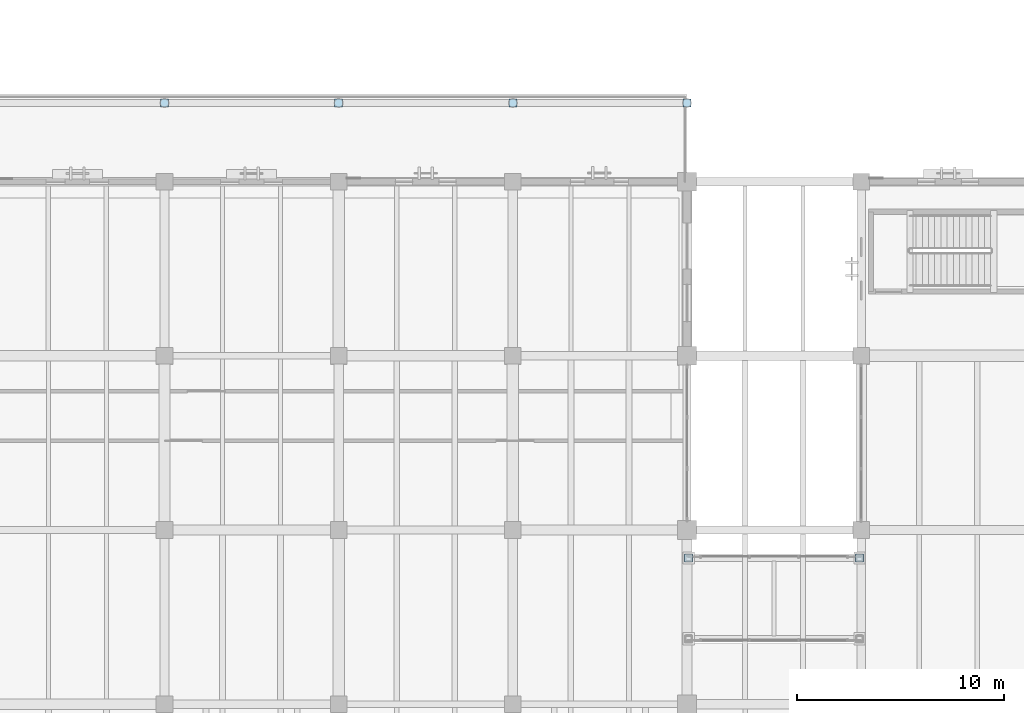
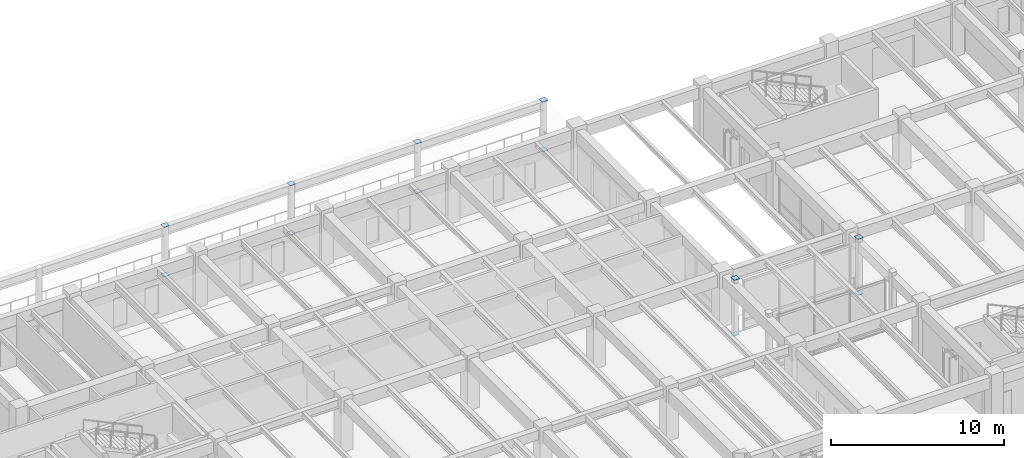
# One storey, part 80 of 135: 12 plates.
"""IFC4 building model written with IfcOpenShell, lengths in metres."""

import ifcopenshell
import ifcopenshell.guid

model = None  # the IFC model being written
_history = None  # IfcOwnerHistory: only IFC2X3 demands one
_inside = {}  # id of a spatial element -> (the spatial element, [elements in it])
_under = {}  # id of a project, library or spatial element -> (it, [spatial elements below it])
_declared = {}  # id of a project -> (the project, [libraries it declares])
_typed = {}  # id of a type object -> (the type object, [elements of that type])
_made_of = {}  # id of a material, layer set ... -> (it, [elements and type objects made of it])


def new_model(schema):
    """Start an empty IFC model of exactly this schema.

    Asked for "IFC4X3", IfcOpenShell would pick the latest addendum, in which some entities
    have other attributes; the version numbers below select the first issue.
    IFC2X3 requires an IfcOwnerHistory on every rooted entity: one is made here for all.
    """
    global model, _history
    if schema == "IFC4X3":
        model = ifcopenshell.file(schema_version=(4, 3, 0, 0))
    else:
        model = ifcopenshell.file(schema=schema)
    _inside.clear()
    _under.clear()
    _declared.clear()
    _typed.clear()
    _made_of.clear()
    _history = None
    if model.schema == "IFC2X3":
        org = make("IfcOrganization", Name="unknown")
        user = make(
            "IfcPersonAndOrganization",
            ThePerson=make("IfcPerson", FamilyName="unknown"),
            TheOrganization=org,
        )
        app = make(
            "IfcApplication",
            ApplicationDeveloper=org,
            Version="unknown",
            ApplicationFullName="unknown",
            ApplicationIdentifier="unknown",
        )
        _history = make(
            "IfcOwnerHistory",
            OwningUser=user,
            OwningApplication=app,
            ChangeAction="ADDED",
            CreationDate=0,
        )
    return model


def make(cls, **values):
    """One entity of the class cls with the attributes given. An attribute that is None is left unset."""
    return model.create_entity(
        cls, **{name: value for name, value in values.items() if value is not None}
    )


def rooted(cls, **values):
    """An entity with a GlobalId (a new one), such as an element, a storey or a relation."""
    return make(cls, GlobalId=ifcopenshell.guid.new(), OwnerHistory=_history, **values)


def si_unit(unit_type, name, prefix=None):
    """IfcSIUnit, for example si_unit("LENGTHUNIT", "METRE", prefix="MILLI")."""
    return make("IfcSIUnit", UnitType=unit_type, Prefix=prefix, Name=name)


def assignment(units):
    """IfcUnitAssignment: the units of a project."""
    return None if units is None else make("IfcUnitAssignment", Units=units)


def point(xyz):
    """IfcCartesianPoint."""
    return None if xyz is None else make("IfcCartesianPoint", Coordinates=xyz)


def direction(xyz):
    """IfcDirection."""
    return None if xyz is None else make("IfcDirection", DirectionRatios=xyz)


def frame(location, z_axis=None, x_axis=None):
    """IfcAxis2Placement3D, a coordinate frame: its origin and axes. An axis left out is left unset."""
    return make(
        "IfcAxis2Placement3D",
        Location=point(location),
        Axis=direction(z_axis),
        RefDirection=direction(x_axis),
    )


def frame_2d(location, x_axis=None):
    """IfcAxis2Placement2D, a coordinate frame in the plane: its origin and x axis."""
    return make(
        "IfcAxis2Placement2D", Location=point(location), RefDirection=direction(x_axis)
    )


def origin():
    """The frame at (0, 0, 0) with its axes left unset."""
    return frame((0.0, 0.0, 0.0))


def origin_2d():
    """The frame at (0, 0) in the plane with its x axis left unset."""
    return frame_2d((0.0, 0.0))


def place(relative_to, where):
    """IfcLocalPlacement: puts the frame where relative to a parent placement (None: the world)."""
    return make(
        "IfcLocalPlacement", PlacementRelTo=relative_to, RelativePlacement=where
    )


def context(
    kind, dimensions, precision=None, world=None, true_north=None, identifier=None
):
    """IfcGeometricRepresentationContext, for example the 3D "Model" context."""
    return make(
        "IfcGeometricRepresentationContext",
        ContextIdentifier=identifier,
        ContextType=kind,
        CoordinateSpaceDimension=dimensions,
        Precision=precision,
        WorldCoordinateSystem=world,
        TrueNorth=true_north,
    )


def subcontext(parent, identifier, kind, view, scale=None):
    """IfcGeometricRepresentationSubContext, for example "Body" below "Model"."""
    return make(
        "IfcGeometricRepresentationSubContext",
        ContextIdentifier=identifier,
        ContextType=kind,
        ParentContext=parent,
        TargetScale=scale,
        TargetView=view,
    )


def project(units=None, contexts=None):
    """IfcProject with its units and contexts."""
    return rooted(
        "IfcProject",
        Name="project",
        RepresentationContexts=contexts,
        UnitsInContext=assignment(units),
    )


def spatial(cls, under=None, at=None, **own):
    """A site, building, storey or space (cls), placed at a placement, below another one or the project."""
    s = rooted(cls, ObjectPlacement=at, **own)
    if under is not None:
        _under.setdefault(under.id(), (under, []))[1].append(s)
    return s


def profile(cls, at=None, kind="AREA", **sizes):
    """A parametric profile (cls). Its sizes go by their IFC names, for example OverallWidth=200.0."""
    return make(cls, ProfileType=kind, Position=at, **sizes)


def rectangle(**sizes):
    """IfcRectangleProfileDef."""
    return profile("IfcRectangleProfileDef", **sizes)


def extrude(swept, where, along, depth):
    """IfcExtrudedAreaSolid: the profile swept, set in the frame where, extruded along a direction by depth."""
    return make(
        "IfcExtrudedAreaSolid",
        SweptArea=swept,
        Position=where,
        ExtrudedDirection=direction(along),
        Depth=depth,
    )


def shape(context_of_items, identifier, shape_type, items):
    """IfcShapeRepresentation: the items that make up one representation, for example the "Body"."""
    return make(
        "IfcShapeRepresentation",
        ContextOfItems=context_of_items,
        RepresentationIdentifier=identifier,
        RepresentationType=shape_type,
        Items=items,
    )


def material(Name=None, Category=None):
    """IfcMaterial."""
    return make("IfcMaterial", Name=Name, Category=Category)


def layer(
    of_material, thickness, ventilated=None, Name=None, Category=None, Priority=None
):
    """IfcMaterialLayer: one layer of a wall or slab, of a material (None: an air gap)."""
    return make(
        "IfcMaterialLayer",
        Material=of_material,
        LayerThickness=thickness,
        IsVentilated=ventilated,
        Name=Name,
        Category=Category,
        Priority=Priority,
    )


def layer_set(layers, Name=None):
    """IfcMaterialLayerSet."""
    return make("IfcMaterialLayerSet", MaterialLayers=layers, LayerSetName=Name)


def made_of(thing, what):
    """Note that an element or type object is made of a material, layer set ...; save() writes the relation."""
    if what is not None:
        _made_of.setdefault(what.id(), (what, []))[1].append(thing)
    return thing


def type_object(cls, material=None, **own):
    """A type object (cls), such as IfcWallType, which elements share."""
    return made_of(rooted(cls, **own), material)


def element(
    cls,
    number,
    at=None,
    inside=None,
    cuts=None,
    type_object=None,
    material=None,
    context=None,
    identifier="Body",
    shape_type=None,
    held_by="IfcProductDefinitionShape",
    body=None,
    shapes=None,
    **own,
):
    """One element of the class cls, such as IfcWall. Its Tag is "e" and its number.

    at: its placement. inside: the storey or other place that contains it. cuts: it is an
    opening in that element (IfcRelVoidsElement). A single representation is given by context,
    identifier, shape_type and body (its items); several are given by shapes. held_by: the class
    of the entity that holds the representations. save() writes the other relations.
    """
    e = rooted(cls, Tag="e%d" % number, ObjectPlacement=at, **own)
    if body is not None:
        shapes = [shape(context, identifier, shape_type, body)]
    if shapes is not None:
        e.Representation = make(held_by, Representations=shapes)
    if inside is not None:
        _inside.setdefault(inside.id(), (inside, []))[1].append(e)
    if cuts is not None:
        rooted(
            "IfcRelVoidsElement", RelatingBuildingElement=cuts, RelatedOpeningElement=e
        )
    if type_object is not None:
        _typed.setdefault(type_object.id(), (type_object, []))[1].append(e)
    return made_of(e, material)


def aggregate(whole, parts):
    """IfcRelAggregates: a whole, such as a stair, and the parts it consists of."""
    return rooted("IfcRelAggregates", RelatingObject=whole, RelatedObjects=parts)


def save(model, path):
    """Write the relations noted so far, then the file.

    IfcRelAggregates (storeys below a building ...), IfcRelContainedInSpatialStructure (elements
    in a storey), IfcRelDefinesByType, IfcRelAssociatesMaterial and IfcRelDeclares: one each for
    every whole, place, type object, material and project.
    """
    for whole, parts in _under.values():
        aggregate(whole, parts)
    for where, things in _inside.values():
        rooted(
            "IfcRelContainedInSpatialStructure",
            RelatedElements=things,
            RelatingStructure=where,
        )
    for kind, things in _typed.values():
        rooted("IfcRelDefinesByType", RelatedObjects=things, RelatingType=kind)
    for what, things in _made_of.values():
        rooted("IfcRelAssociatesMaterial", RelatedObjects=things, RelatingMaterial=what)
    for by, libraries in _declared.values():
        rooted("IfcRelDeclares", RelatingContext=by, RelatedDefinitions=libraries)
    model.write(path)


model = new_model("IFC4")

# Units and contexts
model_context = context("Model", 3, precision=1e-05, world=origin(), true_north=direction((0.0, 1.0)))
body_context = subcontext(model_context, "Body", "Model", "MODEL_VIEW")
ifc_project = project(units=[si_unit("LENGTHUNIT", "METRE"), si_unit("AREAUNIT", "SQUARE_METRE"), si_unit("VOLUMEUNIT", "CUBIC_METRE"), si_unit("PLANEANGLEUNIT", "RADIAN"), si_unit("MASSUNIT", "GRAM", prefix="KILO")], contexts=[model_context])

# Site, building, storey
site_placement = place(None, origin())
site = spatial("IfcSite", under=ifc_project, at=site_placement, CompositionType="ELEMENT")
building_placement = place(site_placement, origin())
building = spatial("IfcBuilding", under=site, at=building_placement, Name="Cumbredor Promenade Congress Hotel", CompositionType="ELEMENT")
storey_placement = place(building_placement, origin())
storey = spatial("IfcBuildingStorey", under=building, at=storey_placement, Name="L00", CompositionType="ELEMENT", Elevation=0.0)

# Plates
ifc_material = material(Name="Steel ASTM A572 Grade 50", Category="steel")
ifc_layer = layer(ifc_material, 0.02001953125, Name="Steel ASTM A572 Grade 50", Category="steel")
ifc_layer_set = layer_set([ifc_layer], Name="Steel ASTM A572 Grade 50")
plate_type = type_object("IfcPlateType", Name="Hollow Section End Cap Plate CP-04", PredefinedType="USERDEFINED", material=ifc_layer_set)
for number, where, z_axis, x_axis, name in (
    (1, (58.800048828125, 121.39990234375, -0.318115234375), (0.0, 0.0, 1.0), (1.0, 0.0, 0.0), "Promenade Colonnade Column TC-038 Start Cap Plate"),
    (2, (58.800048828125, 121.39990234375, 3.18310546875), (0.0, 0.0, 1.0), (1.0, 0.0, 0.0), "Promenade Colonnade Column TC-038 End Cap Plate"),
    (3, (67.199951171875, 121.39990234375, -0.318115234375), (0.0, 0.0, 1.0), (1.0, 0.0, 0.0), "Promenade Colonnade Column TC-039 Start Cap Plate"),
    (4, (67.199951171875, 121.39990234375, 3.18310546875), (0.0, 0.0, 1.0), (1.0, 0.0, 0.0), "Promenade Colonnade Column TC-039 End Cap Plate"),
    (5, (75.60009765625, 121.39990234375, -0.318115234375), (0.0, 0.0, 1.0), (1.0, 0.0, 0.0), "Promenade Colonnade Column TC-040 Start Cap Plate"),
    (6, (75.60009765625, 121.39990234375, 3.18310546875), (0.0, 0.0, 1.0), (1.0, 0.0, 0.0), "Promenade Colonnade Column TC-040 End Cap Plate"),
    (7, (84.0, 121.39990234375, -0.318115234375), (0.0, 0.0, 1.0), (1.0, 0.0, 0.0), "Promenade Colonnade Column TC-041 Start Cap Plate"),
    (8, (84.0, 121.39990234375, 3.18310546875), (0.0, 0.0, 1.0), (1.0, 0.0, 0.0), "Promenade Colonnade Column TC-041 End Cap Plate"),
    (9, (84.080078125, 99.449951171875, -0.01806640625), (0.0, 0.0, 1.0), (1.0, 0.0, 0.0), "L00 North Hotel-to-Forum Glazed Bridge Support Column 2 Start Cap Plate"),
    (10, (84.080078125, 99.449951171875, 3.91796875), (0.0, 0.0, 1.0), (1.0, 0.0, 0.0), "L00 North Hotel-to-Forum Glazed Bridge Support Column 2 End Cap Plate"),
    (11, (92.320068359375, 99.449951171875, -0.01806640625), (0.0, 0.0, 1.0), (1.0, 0.0, 0.0), "L00 North Hotel-to-Forum Glazed Bridge Support Column 4 Start Cap Plate"),
    (12, (92.320068359375, 99.449951171875, 3.91796875), (0.0, 0.0, 1.0), (1.0, 0.0, 0.0), "L00 North Hotel-to-Forum Glazed Bridge Support Column 4 End Cap Plate"),
):
    element("IfcPlate", number, at=place(storey_placement, frame(where, z_axis=z_axis, x_axis=x_axis)), inside=storey, type_object=plate_type, Name=name, ObjectType="CAP PLATE", PredefinedType="USERDEFINED", context=body_context, shape_type="SweptSolid", body=[
        extrude(rectangle(XDim=0.3798828125, YDim=0.3798828125, at=origin_2d()), origin(), (0.0, 0.0, 1.0), 0.02001953125),
    ])

save(model, "model.ifc")
